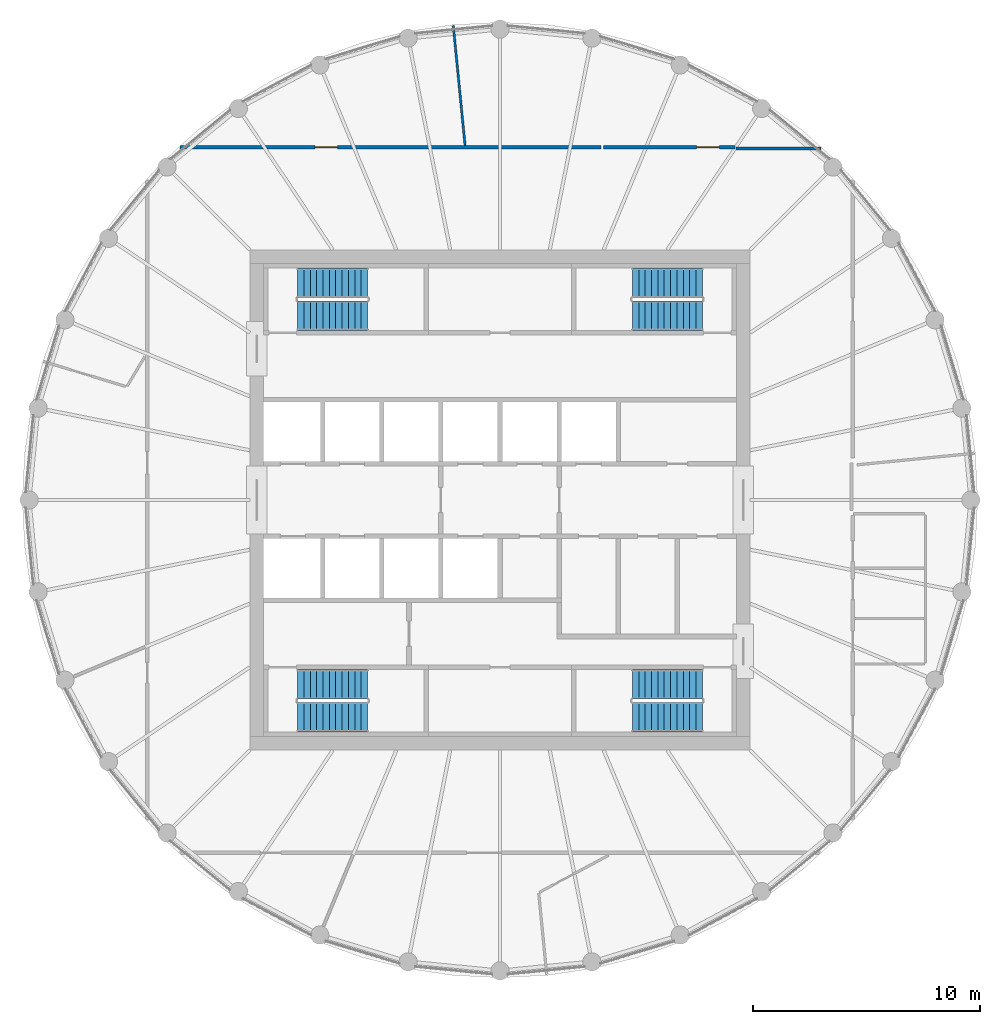
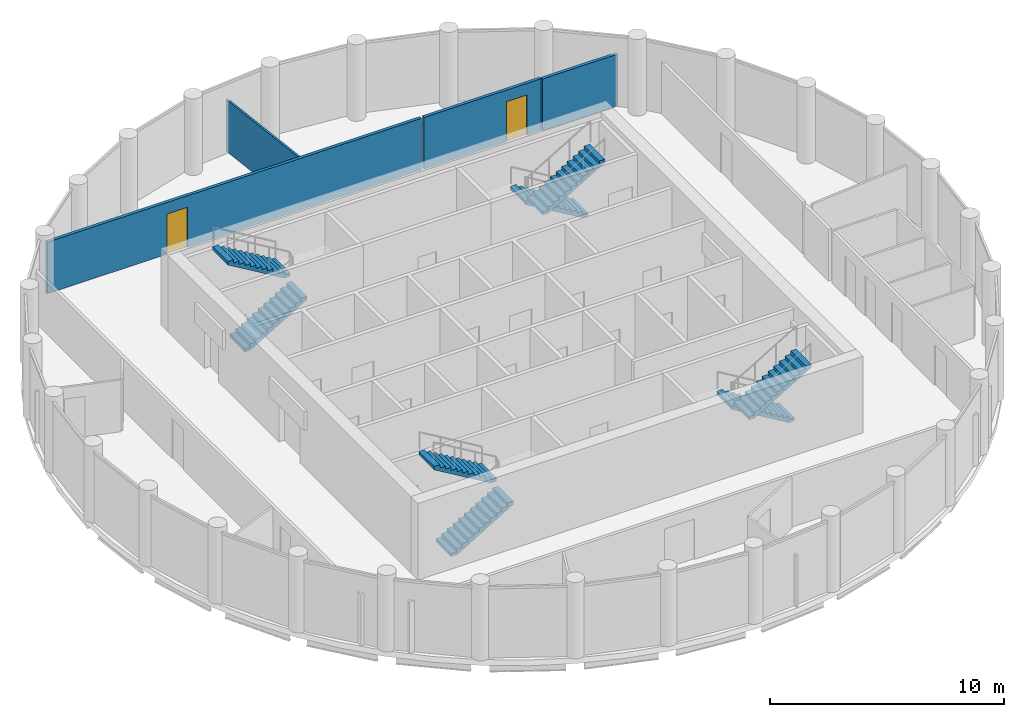
# One storey, part 6 of 7: 8 stair flights, 4 walls, 2 doors, 2 openings, 4 elements without a shape of their own.
"""IFC4 building model written with IfcOpenShell, lengths in metres."""

from ifc_helpers import new_model, si_unit, direction, frame, frame_2d, origin, place, context, subcontext, project, spatial, polyline, rectangle, outline, extrude, material, layer, layer_set, type_object, element, fill, aggregate, save


model = new_model("IFC4")

# Units and contexts
model_context = context("Model", 3, precision=1e-05, world=origin(), true_north=direction((0.0, 1.0)))
body_context = subcontext(model_context, "Body", "Model", "MODEL_VIEW")
ifc_project = project(units=[si_unit("LENGTHUNIT", "METRE"), si_unit("AREAUNIT", "SQUARE_METRE"), si_unit("VOLUMEUNIT", "CUBIC_METRE"), si_unit("PLANEANGLEUNIT", "RADIAN"), si_unit("MASSUNIT", "GRAM", prefix="KILO")], contexts=[model_context])

# Site, building, storey
site_placement = place(None, origin())
site = spatial("IfcSite", under=ifc_project, at=site_placement, CompositionType="ELEMENT")
building_placement = place(site_placement, origin())
building = spatial("IfcBuilding", under=site, at=building_placement, Name="Corvane Civic Tower", CompositionType="ELEMENT")
storey_placement = place(building_placement, frame((0.0, 0.0, 360.5)))
storey = spatial("IfcBuildingStorey", under=building, at=storey_placement, Name="L86", CompositionType="ELEMENT", Elevation=360.5)

# Walls
ifc_material_1 = material(Name="Plasterboard")
ifc_layer_1 = layer(ifc_material_1, 0.10009765625)
ifc_layer_set_1 = layer_set([ifc_layer_1], Name="Plasterboard")
wall_type_1 = type_object("IfcWallType", Name="Partition 100 plasterboard on studs", PredefinedType="PARTITIONING", material=ifc_layer_set_1)
wall_1_placement = place(storey_placement, frame((-2.053466796875, 20.849365234375, 0.0), z_axis=(0.0, 0.0, 1.0), x_axis=(0.098024517427, -0.995184000064, 0.0)))
element("IfcWall", 1, at=wall_1_placement, inside=storey, type_object=wall_type_1, Name="Partition L86.021", PredefinedType="PARTITIONING", context=body_context, shape_type="SweptSolid", body=[
    extrude(rectangle(XDim=5.294921875, YDim=0.10009765625, at=frame_2d((2.6474609375, 0.0))), origin(), (0.0, 0.0, 1.0), 2.699951171875),
])
ifc_material_2 = material(Name="Plasterboard")
ifc_layer_2 = layer(ifc_material_2, 0.14990234375)
ifc_layer_set_2 = layer_set([ifc_layer_2], Name="Plasterboard")
wall_type_2 = type_object("IfcWallType", Name="Tenancy wall 150 EI 60", PredefinedType="PARTITIONING", material=ifc_layer_set_2)
wall_2_placement = place(storey_placement, frame((10.380859375, 15.449951171875, 0.0), z_axis=(0.0, 0.0, 1.0), x_axis=(1.0, 0.0, 0.0)))
element("IfcWall", 2, at=wall_2_placement, inside=storey, type_object=wall_type_2, Name="Partition L86.018", PredefinedType="PARTITIONING", context=body_context, shape_type="SweptSolid", body=[
    extrude(rectangle(XDim=3.7314453125, YDim=0.14990234375, at=frame_2d((1.86572265625, 0.0))), origin(), (0.0, 0.0, 1.0), 2.699951171875),
])

# Wall, opening, door
wall_3_placement = place(storey_placement, frame((-14.05712890625, 15.5, 0.0), z_axis=(0.0, 0.0, 1.0), x_axis=(1.0, 0.0, 0.0)))
wall_3 = element("IfcWall", 3, at=wall_3_placement, inside=storey, type_object=wall_type_2, Name="Partition L86.019", PredefinedType="PARTITIONING", context=body_context, shape_type="SweptSolid", body=[
    extrude(rectangle(XDim=18.489013671875, YDim=0.14990234375, at=frame_2d((9.24462890625, 0.0))), origin(), (0.0, 0.0, 1.0), 2.699951171875),
])
opening_1_placement = place(wall_3_placement, frame((5.919189453125, 0.0, 0.0)))
opening_1 = element("IfcOpeningElement", 4, at=opening_1_placement, cuts=wall_3, Name="Opening L86.005", PredefinedType="OPENING", context=body_context, shape_type="SweptSolid", body=[
    extrude(rectangle(XDim=1.0, YDim=2.10009765625, at=frame_2d((0.5, 1.050048828125))), frame((0.0, 0.0849609375, 0.0), z_axis=(0.0, -1.0, 0.0), x_axis=(1.0, 0.0, 0.0)), (0.0, 0.0, 1.0), 0.169921875),
])
ifc_material_3 = material(Name="Steel and timber", Category="steel")
door_type = type_object("IfcDoorType", Name="Fire door FD30S 1000", OperationType="NOTDEFINED", PredefinedType="DOOR", material=ifc_material_3)
door_1_placement = place(opening_1_placement, origin())
door_1 = element("IfcDoor", 5, at=door_1_placement, inside=storey, type_object=door_type, Name="Door L86.005", OperationType="SINGLE_SWING_RIGHT", OverallHeight=2.10009765625, OverallWidth=1.0, PredefinedType="DOOR", context=body_context, shape_type="SweptSolid", body=[
    extrude(rectangle(XDim=1.0, YDim=2.10009765625, at=frame_2d((0.5, 1.050048828125))), frame((0.0, 0.02490234375, 0.0), z_axis=(0.0, -1.0, 0.0), x_axis=(1.0, 0.0, 0.0)), (0.0, 0.0, 1.0), 0.050048828125),
])
fill(opening_1, door_1)

wall_4_placement = place(storey_placement, frame((4.5595703125, 15.5, 0.0), z_axis=(0.0, 0.0, 1.0), x_axis=(1.0, 0.0, 0.0)))
wall_4 = element("IfcWall", 6, at=wall_4_placement, inside=storey, type_object=wall_type_2, Name="Partition L86.020", PredefinedType="PARTITIONING", context=body_context, shape_type="SweptSolid", body=[
    extrude(rectangle(XDim=5.771240234375, YDim=0.14990234375, at=frame_2d((2.8857421875, 0.0))), origin(), (0.0, 0.0, 1.0), 2.699951171875),
])
opening_2_placement = place(wall_4_placement, frame((4.079345703125, 0.0, 0.0)))
opening_2 = element("IfcOpeningElement", 7, at=opening_2_placement, cuts=wall_4, Name="Opening L86.006", PredefinedType="OPENING", context=body_context, shape_type="SweptSolid", body=[
    extrude(rectangle(XDim=1.0, YDim=2.10009765625, at=frame_2d((0.5, 1.050048828125))), frame((0.0, 0.0849609375, 0.0), z_axis=(0.0, -1.0, 0.0), x_axis=(1.0, 0.0, 0.0)), (0.0, 0.0, 1.0), 0.169921875),
])
door_2_placement = place(opening_2_placement, origin())
door_2 = element("IfcDoor", 8, at=door_2_placement, inside=storey, type_object=door_type, Name="Door L86.006", OperationType="SINGLE_SWING_LEFT", OverallHeight=2.10009765625, OverallWidth=1.0, PredefinedType="DOOR", context=body_context, shape_type="SweptSolid", body=[
    extrude(rectangle(XDim=1.0, YDim=2.10009765625, at=frame_2d((0.5, 1.050048828125))), frame((0.0, 0.02490234375, 0.0), z_axis=(0.0, -1.0, 0.0), x_axis=(1.0, 0.0, 0.0)), (0.0, 0.0, 1.0), 0.050048828125),
])
fill(opening_2, door_2)

# Stair, stair flights
ifc_material_4 = material(Name="Concrete C40/50", Category="concrete")
stair_type = type_object("IfcStairType", Name="ST-STAIR-HALFTURN", PredefinedType="HALF_TURN_STAIR", material=ifc_material_4)
stair_1_placement = place(storey_placement, origin())
stair_1 = element("IfcStair", 9, at=stair_1_placement, inside=storey, type_object=stair_type, Name="L86 Exit stair ST1", PredefinedType="HALF_TURN_STAIR")
ifc_material_5 = material(Name="Concrete C40/50", Category="concrete")
stair_flight_type = type_object("IfcStairFlightType", Name="ST-FLIGHT-RC", PredefinedType="STRAIGHT", material=ifc_material_5)
stair_flight_1_placement = place(storey_placement, frame((8.89990234375, 9.550048828125, 0.0), z_axis=(0.0, 0.0, 1.0), x_axis=(-1.0, 0.0, 0.0)))
stair_flight_1 = element("IfcStairFlight", 10, at=stair_flight_1_placement, type_object=stair_flight_type, Name="ST1 flight 1", NumberOfRisers=12, NumberOfTreads=11, PredefinedType="STRAIGHT", RiserHeight=0.166666667, TreadLength=0.28, context=body_context, shape_type="SweptSolid", body=[
    extrude(outline(polyline([(0.0, 0.0), (0.0, 0.166748046875), (0.280029296875, 0.166748046875), (0.280029296875, 0.333251953125), (0.56005859375, 0.333251953125), (0.56005859375, 0.5), (0.840087890625, 0.5), (0.840087890625, 0.666748046875), (1.1201171875, 0.666748046875), (1.1201171875, 0.833251953125), (1.39990234375, 0.833251953125), (1.39990234375, 1.0), (1.679931640625, 1.0), (1.679931640625, 1.166748046875), (1.9599609375, 1.166748046875), (1.9599609375, 1.333251953125), (2.239990234375, 1.333251953125), (2.239990234375, 1.5), (2.52001953125, 1.5), (2.52001953125, 1.666748046875), (2.800048828125, 1.666748046875), (2.800048828125, 1.833251953125), (3.080078125, 1.833251953125), (3.080078125, 2.0), (3.080078125, 1.658935546875), (0.29296875, 0.0), (0.0, 0.0)])), frame((0.0, 0.64990234375, 0.0), z_axis=(0.0, -1.0, 0.0), x_axis=(1.0, 0.0, 0.0)), (0.0, 0.0, 1.0), 1.300048828125),
])
stair_flight_2_placement = place(storey_placement, frame((5.820068359375, 8.10009765625, 2.0), z_axis=(0.0, 0.0, 1.0), x_axis=(1.0, 0.0, 0.0)))
stair_flight_2 = element("IfcStairFlight", 11, at=stair_flight_2_placement, type_object=stair_flight_type, Name="ST1 flight 2", NumberOfRisers=12, NumberOfTreads=11, PredefinedType="STRAIGHT", RiserHeight=0.166666667, TreadLength=0.28, context=body_context, shape_type="SweptSolid", body=[
    extrude(outline(polyline([(0.0, 0.0), (0.0, 0.166748046875), (0.280029296875, 0.166748046875), (0.280029296875, 0.333251953125), (0.56005859375, 0.333251953125), (0.56005859375, 0.5), (0.840087890625, 0.5), (0.840087890625, 0.666748046875), (1.1201171875, 0.666748046875), (1.1201171875, 0.833251953125), (1.39990234375, 0.833251953125), (1.39990234375, 1.0), (1.679931640625, 1.0), (1.679931640625, 1.166748046875), (1.9599609375, 1.166748046875), (1.9599609375, 1.333251953125), (2.239990234375, 1.333251953125), (2.239990234375, 1.5), (2.52001953125, 1.5), (2.52001953125, 1.666748046875), (2.800048828125, 1.666748046875), (2.800048828125, 1.833251953125), (3.080078125, 1.833251953125), (3.080078125, 2.0), (3.080078125, 1.658935546875), (0.29296875, 0.0), (0.0, 0.0)])), frame((0.0, 0.64990234375, 0.0), z_axis=(0.0, -1.0, 0.0), x_axis=(1.0, 0.0, 0.0)), (0.0, 0.0, 1.0), 1.300048828125),
])
aggregate(stair_1, [stair_flight_1, stair_flight_2])

stair_2_placement = place(storey_placement, origin())
stair_2 = element("IfcStair", 12, at=stair_2_placement, inside=storey, type_object=stair_type, Name="L86 Exit stair ST2", PredefinedType="HALF_TURN_STAIR")
stair_flight_3_placement = place(storey_placement, frame((8.89990234375, -8.10009765625, 0.0), z_axis=(0.0, 0.0, 1.0), x_axis=(-1.0, 0.0, 0.0)))
stair_flight_3 = element("IfcStairFlight", 13, at=stair_flight_3_placement, type_object=stair_flight_type, Name="ST2 flight 1", NumberOfRisers=12, NumberOfTreads=11, PredefinedType="STRAIGHT", RiserHeight=0.166666667, TreadLength=0.28, context=body_context, shape_type="SweptSolid", body=[
    extrude(outline(polyline([(0.0, 0.0), (0.0, 0.166748046875), (0.280029296875, 0.166748046875), (0.280029296875, 0.333251953125), (0.56005859375, 0.333251953125), (0.56005859375, 0.5), (0.840087890625, 0.5), (0.840087890625, 0.666748046875), (1.1201171875, 0.666748046875), (1.1201171875, 0.833251953125), (1.39990234375, 0.833251953125), (1.39990234375, 1.0), (1.679931640625, 1.0), (1.679931640625, 1.166748046875), (1.9599609375, 1.166748046875), (1.9599609375, 1.333251953125), (2.239990234375, 1.333251953125), (2.239990234375, 1.5), (2.52001953125, 1.5), (2.52001953125, 1.666748046875), (2.800048828125, 1.666748046875), (2.800048828125, 1.833251953125), (3.080078125, 1.833251953125), (3.080078125, 2.0), (3.080078125, 1.658935546875), (0.29296875, 0.0), (0.0, 0.0)])), frame((0.0, 0.64990234375, 0.0), z_axis=(0.0, -1.0, 0.0), x_axis=(1.0, 0.0, 0.0)), (0.0, 0.0, 1.0), 1.300048828125),
])
stair_flight_4_placement = place(storey_placement, frame((5.820068359375, -9.550048828125, 2.0), z_axis=(0.0, 0.0, 1.0), x_axis=(1.0, 0.0, 0.0)))
stair_flight_4 = element("IfcStairFlight", 14, at=stair_flight_4_placement, type_object=stair_flight_type, Name="ST2 flight 2", NumberOfRisers=12, NumberOfTreads=11, PredefinedType="STRAIGHT", RiserHeight=0.166666667, TreadLength=0.28, context=body_context, shape_type="SweptSolid", body=[
    extrude(outline(polyline([(0.0, 0.0), (0.0, 0.166748046875), (0.280029296875, 0.166748046875), (0.280029296875, 0.333251953125), (0.56005859375, 0.333251953125), (0.56005859375, 0.5), (0.840087890625, 0.5), (0.840087890625, 0.666748046875), (1.1201171875, 0.666748046875), (1.1201171875, 0.833251953125), (1.39990234375, 0.833251953125), (1.39990234375, 1.0), (1.679931640625, 1.0), (1.679931640625, 1.166748046875), (1.9599609375, 1.166748046875), (1.9599609375, 1.333251953125), (2.239990234375, 1.333251953125), (2.239990234375, 1.5), (2.52001953125, 1.5), (2.52001953125, 1.666748046875), (2.800048828125, 1.666748046875), (2.800048828125, 1.833251953125), (3.080078125, 1.833251953125), (3.080078125, 2.0), (3.080078125, 1.658935546875), (0.29296875, 0.0), (0.0, 0.0)])), frame((0.0, 0.64990234375, 0.0), z_axis=(0.0, -1.0, 0.0), x_axis=(1.0, 0.0, 0.0)), (0.0, 0.0, 1.0), 1.300048828125),
])
aggregate(stair_2, [stair_flight_3, stair_flight_4])

stair_3_placement = place(storey_placement, origin())
stair_3 = element("IfcStair", 15, at=stair_3_placement, inside=storey, type_object=stair_type, Name="L86 Exit stair ST3", PredefinedType="HALF_TURN_STAIR")
stair_flight_5_placement = place(storey_placement, frame((-8.89990234375, -9.550048828125, 0.0), z_axis=(0.0, 0.0, 1.0), x_axis=(1.0, 0.0, 0.0)))
stair_flight_5 = element("IfcStairFlight", 16, at=stair_flight_5_placement, type_object=stair_flight_type, Name="ST3 flight 1", NumberOfRisers=12, NumberOfTreads=11, PredefinedType="STRAIGHT", RiserHeight=0.166666667, TreadLength=0.28, context=body_context, shape_type="SweptSolid", body=[
    extrude(outline(polyline([(0.0, 0.0), (0.0, 0.166748046875), (0.280029296875, 0.166748046875), (0.280029296875, 0.333251953125), (0.56005859375, 0.333251953125), (0.56005859375, 0.5), (0.840087890625, 0.5), (0.840087890625, 0.666748046875), (1.1201171875, 0.666748046875), (1.1201171875, 0.833251953125), (1.39990234375, 0.833251953125), (1.39990234375, 1.0), (1.679931640625, 1.0), (1.679931640625, 1.166748046875), (1.9599609375, 1.166748046875), (1.9599609375, 1.333251953125), (2.239990234375, 1.333251953125), (2.239990234375, 1.5), (2.52001953125, 1.5), (2.52001953125, 1.666748046875), (2.800048828125, 1.666748046875), (2.800048828125, 1.833251953125), (3.080078125, 1.833251953125), (3.080078125, 2.0), (3.080078125, 1.658935546875), (0.29296875, 0.0), (0.0, 0.0)])), frame((0.0, 0.64990234375, 0.0), z_axis=(0.0, -1.0, 0.0), x_axis=(1.0, 0.0, 0.0)), (0.0, 0.0, 1.0), 1.300048828125),
])
stair_flight_6_placement = place(storey_placement, frame((-5.820068359375, -8.10009765625, 2.0), z_axis=(0.0, 0.0, 1.0), x_axis=(-1.0, 0.0, 0.0)))
stair_flight_6 = element("IfcStairFlight", 17, at=stair_flight_6_placement, type_object=stair_flight_type, Name="ST3 flight 2", NumberOfRisers=12, NumberOfTreads=11, PredefinedType="STRAIGHT", RiserHeight=0.166666667, TreadLength=0.28, context=body_context, shape_type="SweptSolid", body=[
    extrude(outline(polyline([(0.0, 0.0), (0.0, 0.166748046875), (0.280029296875, 0.166748046875), (0.280029296875, 0.333251953125), (0.56005859375, 0.333251953125), (0.56005859375, 0.5), (0.840087890625, 0.5), (0.840087890625, 0.666748046875), (1.1201171875, 0.666748046875), (1.1201171875, 0.833251953125), (1.39990234375, 0.833251953125), (1.39990234375, 1.0), (1.679931640625, 1.0), (1.679931640625, 1.166748046875), (1.9599609375, 1.166748046875), (1.9599609375, 1.333251953125), (2.239990234375, 1.333251953125), (2.239990234375, 1.5), (2.52001953125, 1.5), (2.52001953125, 1.666748046875), (2.800048828125, 1.666748046875), (2.800048828125, 1.833251953125), (3.080078125, 1.833251953125), (3.080078125, 2.0), (3.080078125, 1.658935546875), (0.29296875, 0.0), (0.0, 0.0)])), frame((0.0, 0.64990234375, 0.0), z_axis=(0.0, -1.0, 0.0), x_axis=(1.0, 0.0, 0.0)), (0.0, 0.0, 1.0), 1.300048828125),
])
aggregate(stair_3, [stair_flight_5, stair_flight_6])

stair_4_placement = place(storey_placement, origin())
stair_4 = element("IfcStair", 18, at=stair_4_placement, inside=storey, type_object=stair_type, Name="L86 Exit stair ST4", PredefinedType="HALF_TURN_STAIR")
stair_flight_7_placement = place(storey_placement, frame((-8.89990234375, 8.10009765625, 0.0), z_axis=(0.0, 0.0, 1.0), x_axis=(1.0, 0.0, 0.0)))
stair_flight_7 = element("IfcStairFlight", 19, at=stair_flight_7_placement, type_object=stair_flight_type, Name="ST4 flight 1", NumberOfRisers=12, NumberOfTreads=11, PredefinedType="STRAIGHT", RiserHeight=0.166666667, TreadLength=0.28, context=body_context, shape_type="SweptSolid", body=[
    extrude(outline(polyline([(0.0, 0.0), (0.0, 0.166748046875), (0.280029296875, 0.166748046875), (0.280029296875, 0.333251953125), (0.56005859375, 0.333251953125), (0.56005859375, 0.5), (0.840087890625, 0.5), (0.840087890625, 0.666748046875), (1.1201171875, 0.666748046875), (1.1201171875, 0.833251953125), (1.39990234375, 0.833251953125), (1.39990234375, 1.0), (1.679931640625, 1.0), (1.679931640625, 1.166748046875), (1.9599609375, 1.166748046875), (1.9599609375, 1.333251953125), (2.239990234375, 1.333251953125), (2.239990234375, 1.5), (2.52001953125, 1.5), (2.52001953125, 1.666748046875), (2.800048828125, 1.666748046875), (2.800048828125, 1.833251953125), (3.080078125, 1.833251953125), (3.080078125, 2.0), (3.080078125, 1.658935546875), (0.29296875, 0.0), (0.0, 0.0)])), frame((0.0, 0.64990234375, 0.0), z_axis=(0.0, -1.0, 0.0), x_axis=(1.0, 0.0, 0.0)), (0.0, 0.0, 1.0), 1.300048828125),
])
stair_flight_8_placement = place(storey_placement, frame((-5.820068359375, 9.550048828125, 2.0), z_axis=(0.0, 0.0, 1.0), x_axis=(-1.0, 0.0, 0.0)))
stair_flight_8 = element("IfcStairFlight", 20, at=stair_flight_8_placement, type_object=stair_flight_type, Name="ST4 flight 2", NumberOfRisers=12, NumberOfTreads=11, PredefinedType="STRAIGHT", RiserHeight=0.166666667, TreadLength=0.28, context=body_context, shape_type="SweptSolid", body=[
    extrude(outline(polyline([(0.0, 0.0), (0.0, 0.166748046875), (0.280029296875, 0.166748046875), (0.280029296875, 0.333251953125), (0.56005859375, 0.333251953125), (0.56005859375, 0.5), (0.840087890625, 0.5), (0.840087890625, 0.666748046875), (1.1201171875, 0.666748046875), (1.1201171875, 0.833251953125), (1.39990234375, 0.833251953125), (1.39990234375, 1.0), (1.679931640625, 1.0), (1.679931640625, 1.166748046875), (1.9599609375, 1.166748046875), (1.9599609375, 1.333251953125), (2.239990234375, 1.333251953125), (2.239990234375, 1.5), (2.52001953125, 1.5), (2.52001953125, 1.666748046875), (2.800048828125, 1.666748046875), (2.800048828125, 1.833251953125), (3.080078125, 1.833251953125), (3.080078125, 2.0), (3.080078125, 1.658935546875), (0.29296875, 0.0), (0.0, 0.0)])), frame((0.0, 0.64990234375, 0.0), z_axis=(0.0, -1.0, 0.0), x_axis=(1.0, 0.0, 0.0)), (0.0, 0.0, 1.0), 1.300048828125),
])
aggregate(stair_4, [stair_flight_7, stair_flight_8])

save(model, "model.ifc")
